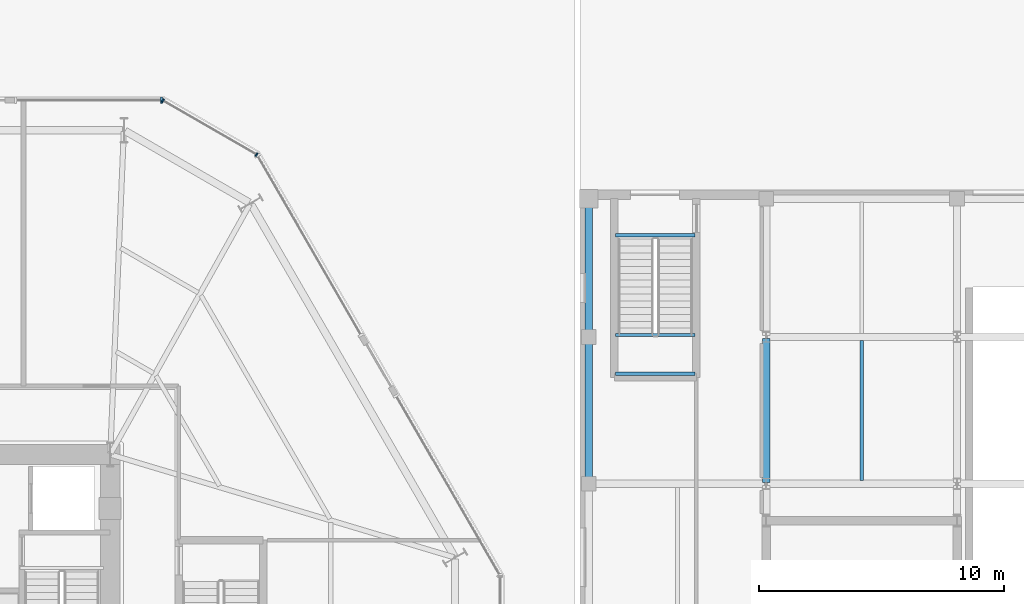
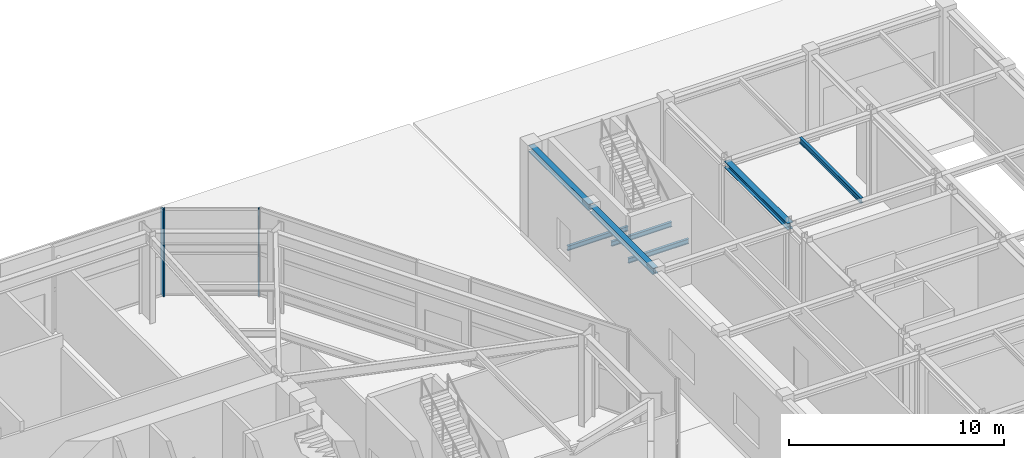
# One storey, part 14 of 26: 7 beams, 3 members, 2 elements without a shape of their own.
"""IFC4 building model written with IfcOpenShell, lengths in metres."""

import ifcopenshell
import ifcopenshell.guid

model = None  # the IFC model being written
_history = None  # IfcOwnerHistory: only IFC2X3 demands one
_inside = {}  # id of a spatial element -> (the spatial element, [elements in it])
_under = {}  # id of a project, library or spatial element -> (it, [spatial elements below it])
_declared = {}  # id of a project -> (the project, [libraries it declares])
_typed = {}  # id of a type object -> (the type object, [elements of that type])
_made_of = {}  # id of a material, layer set ... -> (it, [elements and type objects made of it])


def new_model(schema):
    """Start an empty IFC model of exactly this schema.

    Asked for "IFC4X3", IfcOpenShell would pick the latest addendum, in which some entities
    have other attributes; the version numbers below select the first issue.
    IFC2X3 requires an IfcOwnerHistory on every rooted entity: one is made here for all.
    """
    global model, _history
    if schema == "IFC4X3":
        model = ifcopenshell.file(schema_version=(4, 3, 0, 0))
    else:
        model = ifcopenshell.file(schema=schema)
    _inside.clear()
    _under.clear()
    _declared.clear()
    _typed.clear()
    _made_of.clear()
    _history = None
    if model.schema == "IFC2X3":
        org = make("IfcOrganization", Name="unknown")
        user = make(
            "IfcPersonAndOrganization",
            ThePerson=make("IfcPerson", FamilyName="unknown"),
            TheOrganization=org,
        )
        app = make(
            "IfcApplication",
            ApplicationDeveloper=org,
            Version="unknown",
            ApplicationFullName="unknown",
            ApplicationIdentifier="unknown",
        )
        _history = make(
            "IfcOwnerHistory",
            OwningUser=user,
            OwningApplication=app,
            ChangeAction="ADDED",
            CreationDate=0,
        )
    return model


def make(cls, **values):
    """One entity of the class cls with the attributes given. An attribute that is None is left unset."""
    return model.create_entity(
        cls, **{name: value for name, value in values.items() if value is not None}
    )


def rooted(cls, **values):
    """An entity with a GlobalId (a new one), such as an element, a storey or a relation."""
    return make(cls, GlobalId=ifcopenshell.guid.new(), OwnerHistory=_history, **values)


def si_unit(unit_type, name, prefix=None):
    """IfcSIUnit, for example si_unit("LENGTHUNIT", "METRE", prefix="MILLI")."""
    return make("IfcSIUnit", UnitType=unit_type, Prefix=prefix, Name=name)


def assignment(units):
    """IfcUnitAssignment: the units of a project."""
    return None if units is None else make("IfcUnitAssignment", Units=units)


def point(xyz):
    """IfcCartesianPoint."""
    return None if xyz is None else make("IfcCartesianPoint", Coordinates=xyz)


def direction(xyz):
    """IfcDirection."""
    return None if xyz is None else make("IfcDirection", DirectionRatios=xyz)


def frame(location, z_axis=None, x_axis=None):
    """IfcAxis2Placement3D, a coordinate frame: its origin and axes. An axis left out is left unset."""
    return make(
        "IfcAxis2Placement3D",
        Location=point(location),
        Axis=direction(z_axis),
        RefDirection=direction(x_axis),
    )


def frame_2d(location, x_axis=None):
    """IfcAxis2Placement2D, a coordinate frame in the plane: its origin and x axis."""
    return make(
        "IfcAxis2Placement2D", Location=point(location), RefDirection=direction(x_axis)
    )


def origin():
    """The frame at (0, 0, 0) with its axes left unset."""
    return frame((0.0, 0.0, 0.0))


def origin_2d():
    """The frame at (0, 0) in the plane with its x axis left unset."""
    return frame_2d((0.0, 0.0))


def place(relative_to, where):
    """IfcLocalPlacement: puts the frame where relative to a parent placement (None: the world)."""
    return make(
        "IfcLocalPlacement", PlacementRelTo=relative_to, RelativePlacement=where
    )


def context(
    kind, dimensions, precision=None, world=None, true_north=None, identifier=None
):
    """IfcGeometricRepresentationContext, for example the 3D "Model" context."""
    return make(
        "IfcGeometricRepresentationContext",
        ContextIdentifier=identifier,
        ContextType=kind,
        CoordinateSpaceDimension=dimensions,
        Precision=precision,
        WorldCoordinateSystem=world,
        TrueNorth=true_north,
    )


def subcontext(parent, identifier, kind, view, scale=None):
    """IfcGeometricRepresentationSubContext, for example "Body" below "Model"."""
    return make(
        "IfcGeometricRepresentationSubContext",
        ContextIdentifier=identifier,
        ContextType=kind,
        ParentContext=parent,
        TargetScale=scale,
        TargetView=view,
    )


def project(units=None, contexts=None):
    """IfcProject with its units and contexts."""
    return rooted(
        "IfcProject",
        Name="project",
        RepresentationContexts=contexts,
        UnitsInContext=assignment(units),
    )


def spatial(cls, under=None, at=None, **own):
    """A site, building, storey or space (cls), placed at a placement, below another one or the project."""
    s = rooted(cls, ObjectPlacement=at, **own)
    if under is not None:
        _under.setdefault(under.id(), (under, []))[1].append(s)
    return s


def profile(cls, at=None, kind="AREA", **sizes):
    """A parametric profile (cls). Its sizes go by their IFC names, for example OverallWidth=200.0."""
    return make(cls, ProfileType=kind, Position=at, **sizes)


def rectangle(**sizes):
    """IfcRectangleProfileDef."""
    return profile("IfcRectangleProfileDef", **sizes)


def i_section(**sizes):
    """IfcIShapeProfileDef."""
    return profile("IfcIShapeProfileDef", **sizes)


def extrude(swept, where, along, depth):
    """IfcExtrudedAreaSolid: the profile swept, set in the frame where, extruded along a direction by depth."""
    return make(
        "IfcExtrudedAreaSolid",
        SweptArea=swept,
        Position=where,
        ExtrudedDirection=direction(along),
        Depth=depth,
    )


def shape(context_of_items, identifier, shape_type, items):
    """IfcShapeRepresentation: the items that make up one representation, for example the "Body"."""
    return make(
        "IfcShapeRepresentation",
        ContextOfItems=context_of_items,
        RepresentationIdentifier=identifier,
        RepresentationType=shape_type,
        Items=items,
    )


def material(Name=None, Category=None):
    """IfcMaterial."""
    return make("IfcMaterial", Name=Name, Category=Category)


def layer(
    of_material, thickness, ventilated=None, Name=None, Category=None, Priority=None
):
    """IfcMaterialLayer: one layer of a wall or slab, of a material (None: an air gap)."""
    return make(
        "IfcMaterialLayer",
        Material=of_material,
        LayerThickness=thickness,
        IsVentilated=ventilated,
        Name=Name,
        Category=Category,
        Priority=Priority,
    )


def layer_set(layers, Name=None):
    """IfcMaterialLayerSet."""
    return make("IfcMaterialLayerSet", MaterialLayers=layers, LayerSetName=Name)


def material_profile(
    of_material, cross_section, Name=None, Category=None, Priority=None
):
    """IfcMaterialProfile: a cross section and its material."""
    return make(
        "IfcMaterialProfile",
        Name=Name,
        Material=of_material,
        Profile=cross_section,
        Priority=Priority,
        Category=Category,
    )


def profile_set(profiles, Name=None, composite=None):
    """IfcMaterialProfileSet."""
    return make(
        "IfcMaterialProfileSet",
        Name=Name,
        MaterialProfiles=profiles,
        CompositeProfile=composite,
    )


def made_of(thing, what):
    """Note that an element or type object is made of a material, layer set ...; save() writes the relation."""
    if what is not None:
        _made_of.setdefault(what.id(), (what, []))[1].append(thing)
    return thing


def type_object(cls, material=None, **own):
    """A type object (cls), such as IfcWallType, which elements share."""
    return made_of(rooted(cls, **own), material)


def element(
    cls,
    number,
    at=None,
    inside=None,
    cuts=None,
    type_object=None,
    material=None,
    context=None,
    identifier="Body",
    shape_type=None,
    held_by="IfcProductDefinitionShape",
    body=None,
    shapes=None,
    **own,
):
    """One element of the class cls, such as IfcWall. Its Tag is "e" and its number.

    at: its placement. inside: the storey or other place that contains it. cuts: it is an
    opening in that element (IfcRelVoidsElement). A single representation is given by context,
    identifier, shape_type and body (its items); several are given by shapes. held_by: the class
    of the entity that holds the representations. save() writes the other relations.
    """
    e = rooted(cls, Tag="e%d" % number, ObjectPlacement=at, **own)
    if body is not None:
        shapes = [shape(context, identifier, shape_type, body)]
    if shapes is not None:
        e.Representation = make(held_by, Representations=shapes)
    if inside is not None:
        _inside.setdefault(inside.id(), (inside, []))[1].append(e)
    if cuts is not None:
        rooted(
            "IfcRelVoidsElement", RelatingBuildingElement=cuts, RelatedOpeningElement=e
        )
    if type_object is not None:
        _typed.setdefault(type_object.id(), (type_object, []))[1].append(e)
    return made_of(e, material)


def aggregate(whole, parts):
    """IfcRelAggregates: a whole, such as a stair, and the parts it consists of."""
    return rooted("IfcRelAggregates", RelatingObject=whole, RelatedObjects=parts)


def save(model, path):
    """Write the relations noted so far, then the file.

    IfcRelAggregates (storeys below a building ...), IfcRelContainedInSpatialStructure (elements
    in a storey), IfcRelDefinesByType, IfcRelAssociatesMaterial and IfcRelDeclares: one each for
    every whole, place, type object, material and project.
    """
    for whole, parts in _under.values():
        aggregate(whole, parts)
    for where, things in _inside.values():
        rooted(
            "IfcRelContainedInSpatialStructure",
            RelatedElements=things,
            RelatingStructure=where,
        )
    for kind, things in _typed.values():
        rooted("IfcRelDefinesByType", RelatedObjects=things, RelatingType=kind)
    for what, things in _made_of.values():
        rooted("IfcRelAssociatesMaterial", RelatedObjects=things, RelatingMaterial=what)
    for by, libraries in _declared.values():
        rooted("IfcRelDeclares", RelatingContext=by, RelatedDefinitions=libraries)
    model.write(path)


model = new_model("IFC4")

# Units and contexts
model_context = context("Model", 3, precision=1e-05, world=origin(), true_north=direction((0.0, 1.0)))
body_context = subcontext(model_context, "Body", "Model", "MODEL_VIEW")
ifc_project = project(units=[si_unit("LENGTHUNIT", "METRE"), si_unit("AREAUNIT", "SQUARE_METRE"), si_unit("VOLUMEUNIT", "CUBIC_METRE"), si_unit("PLANEANGLEUNIT", "RADIAN"), si_unit("MASSUNIT", "GRAM", prefix="KILO")], contexts=[model_context])

# Site, building, storey
site_placement = place(None, origin())
site = spatial("IfcSite", under=ifc_project, at=site_placement, CompositionType="ELEMENT")
building_placement = place(site_placement, origin())
building = spatial("IfcBuilding", under=site, at=building_placement, Name="Kranzbogen Civic Tower", CompositionType="ELEMENT")
storey_placement = place(building_placement, origin())
storey = spatial("IfcBuildingStorey", under=building, at=storey_placement, Name="L00", CompositionType="ELEMENT", Elevation=0.0)

# Curtain wall, members
ifc_material_1 = material(Name="Pale Anodised Aluminium", Category="aluminium")
ifc_layer_1 = layer(ifc_material_1, 0.219970703125, Name="Pale Anodised Aluminium")
ifc_layer_set_1 = layer_set([ifc_layer_1], Name="Pale Anodised Aluminium")
curtain_wall_type_1 = type_object("IfcCurtainWallType", Name="Chamfer Facet Stick Curtain Wall System CW-06", PredefinedType="USERDEFINED", material=ifc_layer_set_1)
curtain_wall_1_placement = place(storey_placement, origin())
curtain_wall_1 = element("IfcCurtainWall", 1, at=curtain_wall_1_placement, inside=storey, type_object=curtain_wall_type_1, Name="L00 curtain wall CW-L00-C1", ObjectType="STICK CURTAIN WALL", PredefinedType="USERDEFINED")
ifc_material_profile_1 = material_profile(ifc_material_1, rectangle(XDim=0.06005859375, YDim=0.159912109375, at=origin_2d()), Name="ALU-M 60x160")
ifc_profile_set_1 = profile_set([ifc_material_profile_1], Name="Pale Anodised Aluminium")
member_type_1 = type_object("IfcMemberType", Name="Curtain Wall Mullion ALU-M 60x160", PredefinedType="MULLION", material=ifc_profile_set_1)
member_1_placement = place(storey_placement, frame((38.778076171875, 44.450927734375, 0.0), z_axis=(0.0, 0.0, 1.0), x_axis=(-0.865992001897, 0.500057849305, 0.0)))
member_1 = element("IfcMember", 2, at=member_1_placement, type_object=member_type_1, Name="CW-06 mullion 1", PredefinedType="MULLION", context=body_context, shape_type="SweptSolid", body=[
    extrude(rectangle(XDim=0.06005859375, YDim=0.159912109375, at=origin_2d()), origin(), (0.0, 0.0, 1.0), 4.93994140625),
])
member_2_placement = place(storey_placement, frame((34.9560546875, 46.657958984375, 0.0), z_axis=(0.0, 0.0, 1.0), x_axis=(-0.865992001897, 0.500057849305, 0.0)))
member_2 = element("IfcMember", 3, at=member_2_placement, type_object=member_type_1, Name="CW-06 mullion 2", PredefinedType="MULLION", context=body_context, shape_type="SweptSolid", body=[
    extrude(rectangle(XDim=0.06005859375, YDim=0.159912109375, at=origin_2d()), origin(), (0.0, 0.0, 1.0), 4.93994140625),
])
aggregate(curtain_wall_1, [member_1, member_2])

# Curtain wall, member
ifc_layer_2 = layer(ifc_material_1, 0.219970703125, Name="Pale Anodised Aluminium")
ifc_layer_set_2 = layer_set([ifc_layer_2], Name="Pale Anodised Aluminium")
curtain_wall_type_2 = type_object("IfcCurtainWallType", Name="Podium Stick Curtain Wall System CW-01", PredefinedType="USERDEFINED", material=ifc_layer_set_2)
curtain_wall_2_placement = place(storey_placement, origin())
curtain_wall_2 = element("IfcCurtainWall", 4, at=curtain_wall_2_placement, inside=storey, type_object=curtain_wall_type_2, Name="L00 curtain wall CW-L00-F2-S1", ObjectType="STICK CURTAIN WALL", PredefinedType="USERDEFINED")
ifc_material_profile_2 = material_profile(ifc_material_1, rectangle(XDim=0.0849609375, YDim=0.260009765625, at=origin_2d()), Name="ALU-M 85x260")
ifc_profile_set_2 = profile_set([ifc_material_profile_2], Name="Pale Anodised Aluminium")
member_type_2 = type_object("IfcMemberType", Name="Curtain Wall Mullion ALU-M 85x260", PredefinedType="MULLION", material=ifc_profile_set_2)
member_3_placement = place(storey_placement, frame((34.89990234375, 46.673095703125, 0.0), z_axis=(0.0, 0.0, 1.0), x_axis=(-1.0, 0.0, 0.0)))
member_3 = element("IfcMember", 5, at=member_3_placement, type_object=member_type_2, Name="CW-01 mullion 1", PredefinedType="MULLION", context=body_context, shape_type="SweptSolid", body=[
    extrude(rectangle(XDim=0.0849609375, YDim=0.260009765625, at=origin_2d()), origin(), (0.0, 0.0, 1.0), 4.93994140625),
])
aggregate(curtain_wall_2, [member_3])

# Beams
ifc_material_2 = material(Name="Steel S355", Category="steel")
ifc_material_profile_3 = material_profile(ifc_material_2, i_section(OverallWidth=0.300048828125, OverallDepth=0.360107421875, WebThickness=0.012451171875, FlangeThickness=0.0224609375, at=origin_2d()), Name="HEB 360")
ifc_profile_set_3 = profile_set([ifc_material_profile_3], Name="Steel S355")
beam_type_1 = type_object("IfcBeamType", Name="Health Centre Primary Floor Beam HEB 360", PredefinedType="BEAM", material=ifc_profile_set_3)
for number, where, z_axis, x_axis, name in (
    (6, (52.35009765625, 31.06005859375, 4.760009765625), (0.0, 1.0, 0.0), (-1.0, 0.0, 0.0), "L00 Health Centre Y girder 1-5"),
    (7, (59.60009765625, 31.06005859375, 4.760009765625), (0.0, 1.0, 0.0), (-1.0, 0.0, 0.0), "L00 Health Centre Y girder 2-5"),
):
    element("IfcBeam", number, at=place(storey_placement, frame(where, z_axis=z_axis, x_axis=x_axis)), inside=storey, type_object=beam_type_1, Name=name, PredefinedType="BEAM", context=body_context, shape_type="SweptSolid", body=[
        extrude(i_section(OverallWidth=0.300048828125, OverallDepth=0.360107421875, WebThickness=0.012451171875, FlangeThickness=0.0224609375, at=origin_2d()), origin(), (0.0, 0.0, 1.0), 5.8798828125),
    ])
beam_1_placement = place(storey_placement, frame((52.35009765625, 37.06005859375, 4.760009765625), z_axis=(0.0, 1.0, 0.0), x_axis=(-1.0, 0.0, 0.0)))
element("IfcBeam", 8, at=beam_1_placement, inside=storey, type_object=beam_type_1, Name="L00 Health Centre Y girder 1-6", PredefinedType="BEAM", context=body_context, shape_type="SweptSolid", body=[
    extrude(i_section(OverallWidth=0.300048828125, OverallDepth=0.360107421875, WebThickness=0.012451171875, FlangeThickness=0.0224609375, at=origin_2d()), origin(), (0.0, 0.0, 1.0), 5.530029296875),
])
ifc_material_profile_4 = material_profile(ifc_material_2, i_section(OverallWidth=0.14990234375, OverallDepth=0.300048828125, WebThickness=0.007080078125, FlangeThickness=0.0107421875, at=origin_2d()), Name="IPE 300")
ifc_profile_set_4 = profile_set([ifc_material_profile_4], Name="Steel S355")
beam_type_2 = type_object("IfcBeamType", Name="Health Centre Secondary Joist IPE 300", PredefinedType="JOIST", material=ifc_profile_set_4)
beam_2_placement = place(storey_placement, frame((63.5, 31.139892578125, 4.7900390625), z_axis=(0.0, 1.0, 0.0), x_axis=(-1.0, 0.0, 0.0)))
element("IfcBeam", 9, at=beam_2_placement, inside=storey, type_object=beam_type_2, Name="L00 Health Centre secondary joist 2-5", PredefinedType="JOIST", context=body_context, shape_type="SweptSolid", body=[
    extrude(i_section(OverallWidth=0.14990234375, OverallDepth=0.300048828125, WebThickness=0.007080078125, FlangeThickness=0.0107421875, at=origin_2d()), origin(), (0.0, 0.0, 1.0), 5.72021484375),
])
ifc_material_profile_5 = material_profile(ifc_material_2, i_section(OverallWidth=0.135009765625, OverallDepth=0.27001953125, WebThickness=0.006591796875, FlangeThickness=0.01025390625, at=origin_2d()), Name="IPE 270")
ifc_profile_set_5 = profile_set([ifc_material_profile_5], Name="Steel S355")
beam_type_3 = type_object("IfcBeamType", Name="Stair Landing Support Beam IPE 270", PredefinedType="JOIST", material=ifc_profile_set_5)
for number, where, z_axis, x_axis, name in (
    (10, (53.449951171875, 41.159912109375, -0.455078125), (1.0, 0.0, 0.0), (0.0, 1.0, 0.0), "L00 ST-H2 stair floor header beam"),
    (11, (53.449951171875, 37.080078125, 2.264892578125), (1.0, 0.0, 0.0), (0.0, 1.0, 0.0), "L00 ST-H2 landing support beam 1.1"),
    (12, (53.449951171875, 35.5, 2.264892578125), (1.0, 0.0, 0.0), (0.0, 1.0, 0.0), "L00 ST-H2 landing support beam 1.2"),
):
    element("IfcBeam", number, at=place(storey_placement, frame(where, z_axis=z_axis, x_axis=x_axis)), inside=storey, type_object=beam_type_3, Name=name, PredefinedType="JOIST", context=body_context, shape_type="SweptSolid", body=[
        extrude(i_section(OverallWidth=0.135009765625, OverallDepth=0.27001953125, WebThickness=0.006591796875, FlangeThickness=0.01025390625, at=origin_2d()), origin(), (0.0, 0.0, 1.0), 3.25),
    ])

save(model, "model.ifc")
